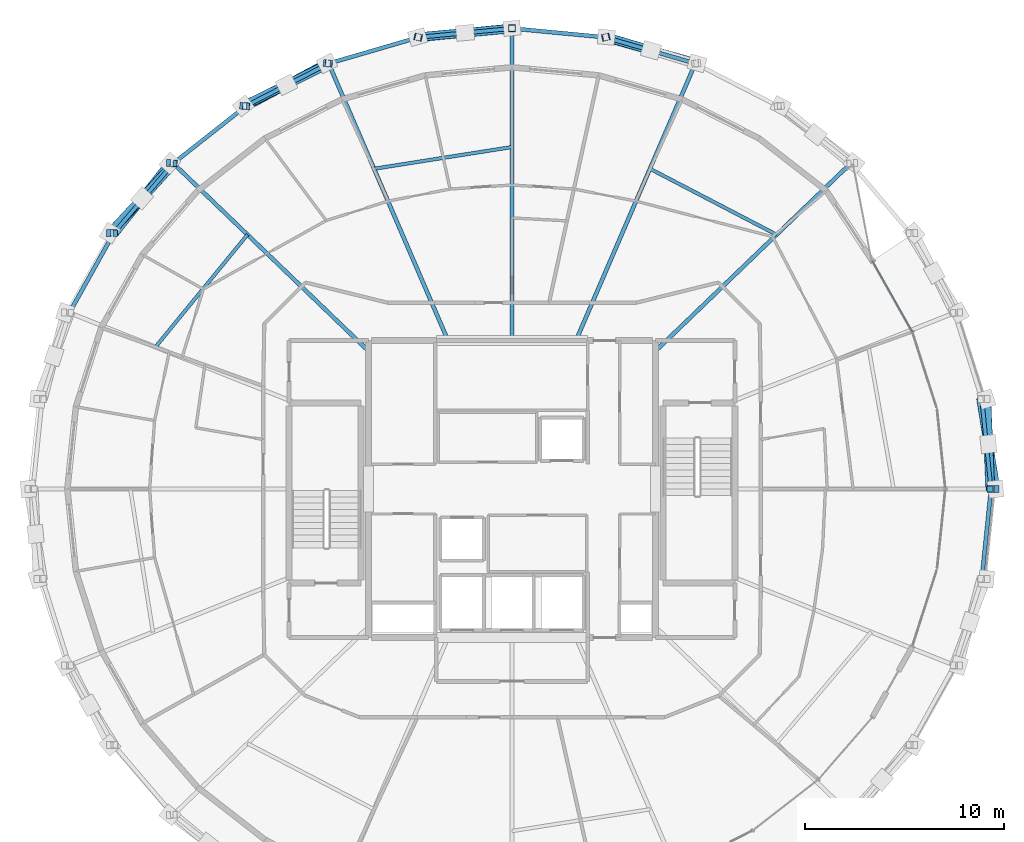
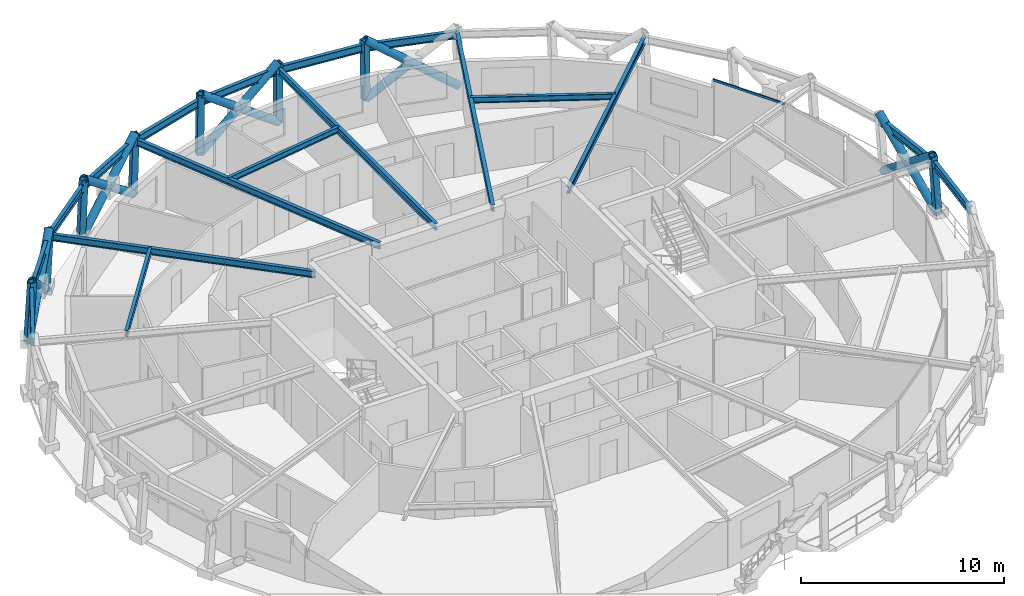
# One storey, part 9 of 18: 23 members, 18 beams, 1 element without a shape of its own.
"""IFC4 building model written with IfcOpenShell, lengths in metres."""

from ifc_helpers import new_model, si_unit, direction, frame, origin, origin_2d, place, context, subcontext, project, spatial, hollow_rectangle, hollow_circle, i_section, extrude, material, layer, layer_set, material_profile, profile_set, type_object, element, aggregate, save


model = new_model("IFC4")

# Units and contexts
model_context = context("Model", 3, precision=1e-05, world=origin(), true_north=direction((0.0, 1.0)))
body_context = subcontext(model_context, "Body", "Model", "MODEL_VIEW")
ifc_project = project(units=[si_unit("LENGTHUNIT", "METRE"), si_unit("AREAUNIT", "SQUARE_METRE"), si_unit("VOLUMEUNIT", "CUBIC_METRE"), si_unit("PLANEANGLEUNIT", "RADIAN"), si_unit("MASSUNIT", "GRAM", prefix="KILO")], contexts=[model_context])

# Site, building, storey
site_placement = place(None, origin())
site = spatial("IfcSite", under=ifc_project, at=site_placement, CompositionType="ELEMENT")
building_placement = place(site_placement, origin())
building = spatial("IfcBuilding", under=site, at=building_placement, Name="Veldorina Hangang Commons", CompositionType="ELEMENT")
storey_placement = place(building_placement, frame((0.0, 0.0, 232.800048828125)))
storey = spatial("IfcBuildingStorey", under=building, at=storey_placement, Name="L60", CompositionType="ELEMENT", Elevation=232.800048828125)

# Beams
ifc_material_1 = material(Name="Steel SM355-TMC", Category="steel")
ifc_material_profile_1 = material_profile(ifc_material_1, i_section(OverallWidth=0.199951171875, OverallDepth=0.39990234375, WebThickness=0.008056640625, FlangeThickness=0.012939453125, FilletRadius=0.012939453125, at=origin_2d()), Name="H-400x200x8x13")
ifc_profile_set_1 = profile_set([ifc_material_profile_1], Name="Steel SM355-TMC")
beam_type_1 = type_object("IfcBeamType", Name="BM-FG400", PredefinedType="BEAM", material=ifc_profile_set_1)
beam_1_placement = place(storey_placement, frame((39.199951171875, 30.92333984375, 3.159912109375), z_axis=(0.720817870164, 0.693124518433, 0.0), x_axis=(-0.693124518433, 0.720817870164, 0.0)))
element("IfcBeam", 1, at=beam_1_placement, inside=storey, type_object=beam_type_1, Name="L60 radial floor girder 03", PredefinedType="BEAM", context=body_context, shape_type="SweptSolid", body=[
    extrude(i_section(OverallWidth=0.199951171875, OverallDepth=0.39990234375, WebThickness=0.008056640625, FlangeThickness=0.012939453125, FilletRadius=0.012939453125, at=origin_2d()), origin(), (0.0, 0.0, 1.0), 13.585205078125),
])
beam_2_placement = place(storey_placement, frame((35.209228515625, 31.449951171875, 3.159912109375), z_axis=(0.395620337135, 0.91841414887, 0.0), x_axis=(-0.91841414887, 0.395620337135, 0.0)))
element("IfcBeam", 2, at=beam_2_placement, inside=storey, type_object=beam_type_1, Name="L60 radial floor girder 04", PredefinedType="BEAM", context=body_context, shape_type="SweptSolid", body=[
    extrude(i_section(OverallWidth=0.199951171875, OverallDepth=0.39990234375, WebThickness=0.008056640625, FlangeThickness=0.012939453125, FilletRadius=0.012939453125, at=origin_2d()), origin(), (0.0, 0.0, 1.0), 15.13330078125),
])
beam_3_placement = place(storey_placement, frame((32.0, 31.449951171875, 3.159912109375), z_axis=(0.0, 1.0, 0.0), x_axis=(-1.0, 0.0, 0.0)))
element("IfcBeam", 3, at=beam_3_placement, inside=storey, type_object=beam_type_1, Name="L60 radial floor girder 05", PredefinedType="BEAM", context=body_context, shape_type="SweptSolid", body=[
    extrude(i_section(OverallWidth=0.199951171875, OverallDepth=0.39990234375, WebThickness=0.008056640625, FlangeThickness=0.012939453125, FilletRadius=0.012939453125, at=origin_2d()), origin(), (0.0, 0.0, 1.0), 15.65771484375),
])
beam_4_placement = place(storey_placement, frame((28.790771484375, 31.449951171875, 3.159912109375), z_axis=(-0.395620337135, 0.91841414887, 0.0), x_axis=(-0.91841414887, -0.395620337135, 0.0)))
element("IfcBeam", 4, at=beam_4_placement, inside=storey, type_object=beam_type_1, Name="L60 radial floor girder 06", PredefinedType="BEAM", context=body_context, shape_type="SweptSolid", body=[
    extrude(i_section(OverallWidth=0.199951171875, OverallDepth=0.39990234375, WebThickness=0.008056640625, FlangeThickness=0.012939453125, FilletRadius=0.012939453125, at=origin_2d()), origin(), (0.0, 0.0, 1.0), 15.13330078125),
])
beam_5_placement = place(storey_placement, frame((24.800048828125, 30.92333984375, 3.159912109375), z_axis=(-0.720817870164, 0.693124518433, 0.0), x_axis=(-0.693124518433, -0.720817870164, 0.0)))
element("IfcBeam", 5, at=beam_5_placement, inside=storey, type_object=beam_type_1, Name="L60 radial floor girder 07", PredefinedType="BEAM", context=body_context, shape_type="SweptSolid", body=[
    extrude(i_section(OverallWidth=0.199951171875, OverallDepth=0.39990234375, WebThickness=0.008056640625, FlangeThickness=0.012939453125, FilletRadius=0.012939453125, at=origin_2d()), origin(), (0.0, 0.0, 1.0), 13.585205078125),
])
ifc_material_profile_2 = material_profile(ifc_material_1, i_section(OverallWidth=0.175048828125, OverallDepth=0.35009765625, WebThickness=0.007080078125, FlangeThickness=0.010986328125, FilletRadius=0.012939453125, at=origin_2d()), Name="H-350x175x7x11")
ifc_profile_set_2 = profile_set([ifc_material_profile_2], Name="Steel SM355-TMC")
beam_type_2 = type_object("IfcBeamType", Name="BM-JST350", PredefinedType="JOIST", material=ifc_profile_set_2)
beam_6_placement = place(storey_placement, frame((45.271240234375, 36.761474609375, 3.18505859375), z_axis=(-0.887010120616, 0.461749982051, 0.0), x_axis=(-0.461749982051, -0.887010120616, 0.0)))
element("IfcBeam", 6, at=beam_6_placement, inside=storey, type_object=beam_type_2, Name="L60 secondary floor joist 03", PredefinedType="JOIST", context=body_context, shape_type="SweptSolid", body=[
    extrude(i_section(OverallWidth=0.175048828125, OverallDepth=0.35009765625, WebThickness=0.007080078125, FlangeThickness=0.010986328125, FilletRadius=0.012939453125, at=origin_2d()), origin(), (0.0, 0.0, 1.0), 7.158935546875),
])
beam_7_placement = place(storey_placement, frame((32.0, 41.15771484375, 3.18505859375), z_axis=(-0.987812075525, -0.155651223725, 0.0), x_axis=(0.155651223725, -0.987812075525, 0.0)))
element("IfcBeam", 7, at=beam_7_placement, inside=storey, type_object=beam_type_2, Name="L60 secondary floor joist 05", PredefinedType="JOIST", context=body_context, shape_type="SweptSolid", body=[
    extrude(i_section(OverallWidth=0.175048828125, OverallDepth=0.35009765625, WebThickness=0.007080078125, FlangeThickness=0.010986328125, FilletRadius=0.012939453125, at=origin_2d()), origin(), (0.0, 0.0, 1.0), 7.006591796875),
])
beam_8_placement = place(storey_placement, frame((18.728759765625, 36.761474609375, 3.18505859375), z_axis=(-0.633502347784, -0.773740767539, 0.0), x_axis=(0.773740767539, -0.633502347784, 0.0)))
element("IfcBeam", 8, at=beam_8_placement, inside=storey, type_object=beam_type_2, Name="L60 secondary floor joist 07", PredefinedType="JOIST", context=body_context, shape_type="SweptSolid", body=[
    extrude(i_section(OverallWidth=0.175048828125, OverallDepth=0.35009765625, WebThickness=0.007080078125, FlangeThickness=0.010986328125, FilletRadius=0.012939453125, at=origin_2d()), origin(), (0.0, 0.0, 1.0), 7.28564453125),
])
ifc_material_profile_3 = material_profile(ifc_material_1, i_section(OverallWidth=0.199951171875, OverallDepth=0.449951171875, WebThickness=0.009033203125, FlangeThickness=0.013916015625, FilletRadius=0.01611328125, at=origin_2d()), Name="H-450x200x9x14")
ifc_profile_set_3 = profile_set([ifc_material_profile_3], Name="Steel SM355-TMC")
beam_type_3 = type_object("IfcBeamType", Name="BM-RB450", PredefinedType="BEAM", material=ifc_profile_set_3)
beam_9_placement = place(storey_placement, frame((56.031005859375, 24.0, 3.135009765625), z_axis=(-0.101877124735, 0.994796990072, 0.0), x_axis=(-0.994796990072, -0.101877124735, 0.0)))
element("IfcBeam", 9, at=beam_9_placement, inside=storey, type_object=beam_type_3, Name="L60 perimeter hoop ring beam 00", PredefinedType="BEAM", context=body_context, shape_type="SweptSolid", body=[
    extrude(i_section(OverallWidth=0.199951171875, OverallDepth=0.449951171875, WebThickness=0.009033203125, FlangeThickness=0.013916015625, FilletRadius=0.01611328125, at=origin_2d()), origin(), (0.0, 0.0, 1.0), 4.53173828125),
])
beam_10_placement = place(storey_placement, frame((41.1962890625, 45.3486328125, 3.135009765625), z_axis=(-0.959994759243, 0.280017967684, 0.0), x_axis=(-0.280017967684, -0.959994759243, 0.0)))
element("IfcBeam", 10, at=beam_10_placement, inside=storey, type_object=beam_type_3, Name="L60 perimeter hoop ring beam 06", PredefinedType="BEAM", context=body_context, shape_type="SweptSolid", body=[
    extrude(i_section(OverallWidth=0.199951171875, OverallDepth=0.449951171875, WebThickness=0.009033203125, FlangeThickness=0.013916015625, FilletRadius=0.01611328125, at=origin_2d()), origin(), (0.0, 0.0, 1.0), 4.69580078125),
])
for number, where, z_axis, x_axis, name in (
    (11, (36.688232421875, 46.66357421875, 3.135009765625), (-0.995543575361, 0.094302648731, 0.0), (-0.094302648731, -0.995543575361, 0.0), "L60 perimeter hoop ring beam 07"),
    (12, (32.0, 47.107666015625, 3.135009765625), (-0.995543575361, -0.094302648731, 0.0), (0.094302648731, -0.995543575361, 0.0), "L60 perimeter hoop ring beam 08"),
):
    element("IfcBeam", number, at=place(storey_placement, frame(where, z_axis=z_axis, x_axis=x_axis)), inside=storey, type_object=beam_type_3, Name=name, PredefinedType="BEAM", context=body_context, shape_type="SweptSolid", body=[
        extrude(i_section(OverallWidth=0.199951171875, OverallDepth=0.449951171875, WebThickness=0.009033203125, FlangeThickness=0.013916015625, FilletRadius=0.01611328125, at=origin_2d()), origin(), (0.0, 0.0, 1.0), 4.709228515625),
    ])
beam_11_placement = place(storey_placement, frame((27.311767578125, 46.66357421875, 3.135009765625), z_axis=(-0.959994759243, -0.280017967684, 0.0), x_axis=(0.280017967684, -0.959994759243, 0.0)))
element("IfcBeam", 13, at=beam_11_placement, inside=storey, type_object=beam_type_3, Name="L60 perimeter hoop ring beam 09", PredefinedType="BEAM", context=body_context, shape_type="SweptSolid", body=[
    extrude(i_section(OverallWidth=0.199951171875, OverallDepth=0.449951171875, WebThickness=0.009033203125, FlangeThickness=0.013916015625, FilletRadius=0.01611328125, at=origin_2d()), origin(), (0.0, 0.0, 1.0), 4.69580078125),
])
beam_12_placement = place(storey_placement, frame((22.8037109375, 45.3486328125, 3.135009765625), z_axis=(-0.889406812659, -0.457116529559, 0.0), x_axis=(0.457116529559, -0.889406812659, 0.0)))
element("IfcBeam", 14, at=beam_12_placement, inside=storey, type_object=beam_type_3, Name="L60 perimeter hoop ring beam 10", PredefinedType="BEAM", context=body_context, shape_type="SweptSolid", body=[
    extrude(i_section(OverallWidth=0.199951171875, OverallDepth=0.449951171875, WebThickness=0.009033203125, FlangeThickness=0.013916015625, FilletRadius=0.01611328125, at=origin_2d()), origin(), (0.0, 0.0, 1.0), 4.671142578125),
])
beam_13_placement = place(storey_placement, frame((18.649169921875, 43.21337890625, 3.135009765625), z_axis=(-0.785005340237, -0.619488995705, 0.0), x_axis=(0.619488995705, -0.785005340237, 0.0)))
element("IfcBeam", 15, at=beam_13_placement, inside=storey, type_object=beam_type_3, Name="L60 perimeter hoop ring beam 11", PredefinedType="BEAM", context=body_context, shape_type="SweptSolid", body=[
    extrude(i_section(OverallWidth=0.199951171875, OverallDepth=0.449951171875, WebThickness=0.009033203125, FlangeThickness=0.013916015625, FilletRadius=0.01611328125, at=origin_2d()), origin(), (0.0, 0.0, 1.0), 4.638916015625),
])
beam_14_placement = place(storey_placement, frame((15.007568359375, 40.339599609375, 3.135009765625), z_axis=(-0.649200277613, -0.760617511991, 0.0), x_axis=(0.760617511991, -0.649200277613, 0.0)))
element("IfcBeam", 16, at=beam_14_placement, inside=storey, type_object=beam_type_3, Name="L60 perimeter hoop ring beam 12", PredefinedType="BEAM", context=body_context, shape_type="SweptSolid", body=[
    extrude(i_section(OverallWidth=0.199951171875, OverallDepth=0.449951171875, WebThickness=0.009033203125, FlangeThickness=0.013916015625, FilletRadius=0.01611328125, at=origin_2d()), origin(), (0.0, 0.0, 1.0), 4.603759765625),
])
beam_15_placement = place(storey_placement, frame((12.018798828125, 36.837890625, 3.135009765625), z_axis=(-0.485865143096, -0.874033788091, 0.0), x_axis=(0.874033788091, -0.485865143096, 0.0)))
element("IfcBeam", 17, at=beam_15_placement, inside=storey, type_object=beam_type_3, Name="L60 perimeter hoop ring beam 13", PredefinedType="BEAM", context=body_context, shape_type="SweptSolid", body=[
    extrude(i_section(OverallWidth=0.199951171875, OverallDepth=0.449951171875, WebThickness=0.009033203125, FlangeThickness=0.013916015625, FilletRadius=0.01611328125, at=origin_2d()), origin(), (0.0, 0.0, 1.0), 4.570556640625),
])
beam_16_placement = place(storey_placement, frame((55.5693359375, 19.491943359375, 3.135009765625), z_axis=(0.101877124735, 0.994796990072, 0.0), x_axis=(-0.994796990072, 0.101877124735, 0.0)))
element("IfcBeam", 18, at=beam_16_placement, inside=storey, type_object=beam_type_3, Name="L60 perimeter hoop ring beam 31", PredefinedType="BEAM", context=body_context, shape_type="SweptSolid", body=[
    extrude(i_section(OverallWidth=0.199951171875, OverallDepth=0.449951171875, WebThickness=0.009033203125, FlangeThickness=0.013916015625, FilletRadius=0.01611328125, at=origin_2d()), origin(), (0.0, 0.0, 1.0), 4.53173828125),
])

# Curtain wall, member
ifc_material_2 = material(Name="Glass Low-E Selective", Category="glass")
ifc_layer = layer(ifc_material_2, 0.179931640625)
ifc_layer_set = layer_set([ifc_layer], Name="Glass Low-E Selective")
curtain_wall_type = type_object("IfcCurtainWallType", Name="CW-SYS-Z3", PredefinedType="NOTDEFINED", material=ifc_layer_set)
curtain_wall_placement = place(storey_placement, origin())
curtain_wall = element("IfcCurtainWall", 19, at=curtain_wall_placement, inside=storey, type_object=curtain_wall_type, Name="L60 unitised curtain wall CW-L60-R2", PredefinedType="NOTDEFINED")
ifc_material_3 = material(Name="Aluminium Anodized AA6063-T6", Category="aluminium")
ifc_material_profile_4 = material_profile(ifc_material_3, hollow_rectangle(XDim=0.06005859375, YDim=0.139892578125, WallThickness=0.00341796875, at=origin_2d()), Name="ALU-RHS-140x60x3.5")
ifc_profile_set_4 = profile_set([ifc_material_profile_4], Name="Aluminium Anodized AA6063-T6")
member_type_1 = type_object("IfcMemberType", Name="CW-TRN-140", PredefinedType="USERDEFINED", material=ifc_profile_set_4)
member_1_placement = place(storey_placement, frame((52.090576171875, 31.882568359375, 3.280029296875), z_axis=(-0.491457065187, 0.870901804498, 0.0), x_axis=(-0.870901804498, -0.491457065187, 0.0)))
member_1 = element("IfcMember", 20, at=member_1_placement, type_object=member_type_1, Name="CW-L60-R2 facet 5 transom 1", ObjectType="TRANSOM", PredefinedType="USERDEFINED", context=body_context, shape_type="SweptSolid", body=[
    extrude(hollow_rectangle(XDim=0.06005859375, YDim=0.139892578125, WallThickness=0.00341796875, at=origin_2d()), origin(), (0.0, 0.0, 1.0), 4.0888671875),
])
aggregate(curtain_wall, [member_1])

# Members
ifc_material_profile_5 = material_profile(ifc_material_1, hollow_circle(Radius=0.22509765625, WallThickness=0.02197265625, at=origin_2d()), Name="CHS-450x22")
ifc_profile_set_5 = profile_set([ifc_material_profile_5], Name="Steel SM355-TMC")
member_type_2 = type_object("IfcMemberType", Name="DG-CHS450", PredefinedType="BRACE", material=ifc_profile_set_5)
member_2_placement = place(storey_placement, frame((56.265869140625, 24.0, 0.0), z_axis=(-0.125661791119, 0.775215272712, 0.619072205164), x_axis=(-0.987115293042, -0.160010619155, 0.0)))
element("IfcMember", 21, at=member_2_placement, inside=storey, type_object=member_type_2, Name="L60 continuous perimeter diagrid brace 00", PredefinedType="BRACE", context=body_context, shape_type="SweptSolid", body=[
    extrude(hollow_circle(Radius=0.22509765625, WallThickness=0.02197265625, at=origin_2d()), origin(), (0.0, 0.0, 1.0), 5.81494140625),
])
member_3_placement = place(storey_placement, frame((55.799560546875, 28.510009765625, 0.0), z_axis=(0.034917114059, -0.781027359987, 0.623519893906), x_axis=(0.999002153417, 0.044662036086, 0.0)))
element("IfcMember", 22, at=member_3_placement, inside=storey, type_object=member_type_2, Name="L60 split perimeter diagrid lower brace 01", PredefinedType="BRACE", context=body_context, shape_type="SweptSolid", body=[
    extrude(hollow_circle(Radius=0.22509765625, WallThickness=0.02197265625, at=origin_2d()), origin(), (0.0, 0.0, 1.0), 2.8876953125),
])
member_4_placement = place(storey_placement, frame((55.900390625, 26.254638671875, 1.800537109375), z_axis=(0.03324347595, -0.781179390336, 0.623420910317), x_axis=(0.999095742908, 0.042517014289, 0.0)))
element("IfcMember", 23, at=member_4_placement, inside=storey, type_object=member_type_2, Name="L60 split perimeter diagrid upper brace 01", PredefinedType="BRACE", context=body_context, shape_type="SweptSolid", body=[
    extrude(hollow_circle(Radius=0.22509765625, WallThickness=0.02197265625, at=origin_2d()), origin(), (0.0, 0.0, 1.0), 2.88623046875),
])
member_5_placement = place(storey_placement, frame((41.2861328125, 45.3583984375, 0.0), z_axis=(-0.76892906559, 0.217702200851, 0.601127144484), x_axis=(-0.272416035454, -0.962179558932, 0.0)))
element("IfcMember", 24, at=member_5_placement, inside=storey, type_object=member_type_2, Name="L60 continuous perimeter diagrid brace 06", PredefinedType="BRACE", context=body_context, shape_type="SweptSolid", body=[
    extrude(hollow_circle(Radius=0.22509765625, WallThickness=0.02197265625, at=origin_2d()), origin(), (0.0, 0.0, 1.0), 5.988525390625),
])
member_6_placement = place(storey_placement, frame((36.73388671875, 46.674072265625, 0.0), z_axis=(0.757955846818, -0.223657746879, 0.61276434829), x_axis=(0.283015890758, 0.959115220179, 0.0)))
element("IfcMember", 25, at=member_6_placement, inside=storey, type_object=member_type_2, Name="L60 split perimeter diagrid lower brace 07", PredefinedType="BRACE", context=body_context, shape_type="SweptSolid", body=[
    extrude(hollow_circle(Radius=0.22509765625, WallThickness=0.02197265625, at=origin_2d()), origin(), (0.0, 0.0, 1.0), 2.95263671875),
])
member_7_placement = place(storey_placement, frame((32.0, 47.1181640625, 0.0), z_axis=(-0.790370551274, -0.076996724369, 0.607771253117), x_axis=(0.096959509492, -0.995288326827, 0.0)))
element("IfcMember", 26, at=member_7_placement, inside=storey, type_object=member_type_2, Name="L60 continuous perimeter diagrid brace 08", PredefinedType="BRACE", context=body_context, shape_type="SweptSolid", body=[
    extrude(hollow_circle(Radius=0.22509765625, WallThickness=0.02197265625, at=origin_2d()), origin(), (0.0, 0.0, 1.0), 5.923095703125),
])
member_8_placement = place(storey_placement, frame((27.26611328125, 46.674072265625, 0.0), z_axis=(0.793928317709, 0.071664470159, 0.603773161093), x_axis=(-0.089900162929, 0.995950782271, 0.0)))
element("IfcMember", 27, at=member_8_placement, inside=storey, type_object=member_type_2, Name="L60 split perimeter diagrid lower brace 09", PredefinedType="BRACE", context=body_context, shape_type="SweptSolid", body=[
    extrude(hollow_circle(Radius=0.22509765625, WallThickness=0.02197265625, at=origin_2d()), origin(), (0.0, 0.0, 1.0), 2.997802734375),
])
member_9_placement = place(storey_placement, frame((29.646240234375, 46.888916015625, 1.81005859375), z_axis=(0.793868977209, 0.073285280543, 0.603656619844), x_axis=(-0.091923226486, 0.99576609725, 0.0)))
element("IfcMember", 28, at=member_9_placement, inside=storey, type_object=member_type_2, Name="L60 split perimeter diagrid upper brace 09", PredefinedType="BRACE", context=body_context, shape_type="SweptSolid", body=[
    extrude(hollow_circle(Radius=0.22509765625, WallThickness=0.02197265625, at=origin_2d()), origin(), (0.0, 0.0, 1.0), 2.96484375),
])
member_10_placement = place(storey_placement, frame((22.7138671875, 45.3583984375, 0.0), z_axis=(-0.694480178066, -0.368489422182, 0.61799096111), x_axis=(0.468705619493, -0.883354426182, 0.0)))
element("IfcMember", 29, at=member_10_placement, inside=storey, type_object=member_type_2, Name="L60 continuous perimeter diagrid brace 10", PredefinedType="BRACE", context=body_context, shape_type="SweptSolid", body=[
    extrude(hollow_circle(Radius=0.22509765625, WallThickness=0.02197265625, at=origin_2d()), origin(), (0.0, 0.0, 1.0), 5.8251953125),
])
member_11_placement = place(storey_placement, frame((18.5185546875, 43.22216796875, 0.0), z_axis=(0.718387081062, 0.351411419138, 0.600358239939), x_axis=(-0.439411919252, 0.898285681295, 0.0)))
element("IfcMember", 30, at=member_11_placement, inside=storey, type_object=member_type_2, Name="L60 split perimeter diagrid lower brace 11", PredefinedType="BRACE", context=body_context, shape_type="SweptSolid", body=[
    extrude(hollow_circle(Radius=0.22509765625, WallThickness=0.02197265625, at=origin_2d()), origin(), (0.0, 0.0, 1.0), 3.01171875),
])
member_12_placement = place(storey_placement, frame((20.68212890625, 44.280517578125, 1.80810546875), z_axis=(0.715340033208, 0.357506398115, 0.600398044798), x_axis=(-0.447049908411, 0.894509015823, 0.0)))
element("IfcMember", 31, at=member_12_placement, inside=storey, type_object=member_type_2, Name="L60 split perimeter diagrid upper brace 11", PredefinedType="BRACE", context=body_context, shape_type="SweptSolid", body=[
    extrude(hollow_circle(Radius=0.22509765625, WallThickness=0.02197265625, at=origin_2d()), origin(), (0.0, 0.0, 1.0), 2.984375),
])
member_13_placement = place(storey_placement, frame((14.84130859375, 40.346923828125, 0.0), z_axis=(-0.485684203701, -0.61022514529, 0.625888269846), x_axis=(0.782427466791, -0.622741727533, 0.0)))
element("IfcMember", 32, at=member_13_placement, inside=storey, type_object=member_type_2, Name="L60 continuous perimeter diagrid brace 12", PredefinedType="BRACE", context=body_context, shape_type="SweptSolid", body=[
    extrude(hollow_circle(Radius=0.22509765625, WallThickness=0.02197265625, at=origin_2d()), origin(), (0.0, 0.0, 1.0), 5.751708984375),
])
member_14_placement = place(storey_placement, frame((11.823486328125, 36.84375, 0.0), z_axis=(0.54181817334, 0.584094055564, 0.604373395587), x_axis=(-0.733140676978, 0.680077016051, 0.0)))
element("IfcMember", 33, at=member_14_placement, inside=storey, type_object=member_type_2, Name="L60 split perimeter diagrid lower brace 13", PredefinedType="BRACE", context=body_context, shape_type="SweptSolid", body=[
    extrude(hollow_circle(Radius=0.22509765625, WallThickness=0.02197265625, at=origin_2d()), origin(), (0.0, 0.0, 1.0), 2.985595703125),
])
member_15_placement = place(storey_placement, frame((13.441162109375, 38.587646484375, 1.804443359375), z_axis=(0.535679203188, 0.589526636903, 0.604571034415), x_axis=(-0.740098833091, 0.672498116918, 0.0)))
element("IfcMember", 34, at=member_15_placement, inside=storey, type_object=member_type_2, Name="L60 split perimeter diagrid upper brace 13", PredefinedType="BRACE", context=body_context, shape_type="SweptSolid", body=[
    extrude(hollow_circle(Radius=0.22509765625, WallThickness=0.02197265625, at=origin_2d()), origin(), (0.0, 0.0, 1.0), 2.9697265625),
])
ifc_material_profile_6 = material_profile(ifc_material_1, hollow_rectangle(XDim=0.35009765625, YDim=0.35009765625, WallThickness=0.01611328125, at=origin_2d()), Name="SHS-350x350x16")
ifc_profile_set_6 = profile_set([ifc_material_profile_6], Name="Steel SM355-TMC")
member_type_3 = type_object("IfcMemberType", Name="STR-SHS350", PredefinedType="STRUT", material=ifc_profile_set_6)
member_16_placement = place(storey_placement, frame((56.265869140625, 24.0, 0.0), z_axis=(-0.074663850132, 0.0, 0.997208759229), x_axis=(0.0, -1.0, 0.0)))
element("IfcMember", 35, at=member_16_placement, inside=storey, type_object=member_type_3, Name="L60 perimeter ring node post 00", PredefinedType="STRUT", context=body_context, shape_type="SweptSolid", body=[
    extrude(hollow_rectangle(XDim=0.35009765625, YDim=0.35009765625, WallThickness=0.01611328125, at=origin_2d()), origin(), (0.0, 0.0, 1.0), 3.60986328125),
])
member_17_placement = place(storey_placement, frame((36.73388671875, 46.674072265625, 0.0), z_axis=(-0.014579583662, -0.003322788835, 0.999888191157), x_axis=(0.222209083001, -0.974999037657, 0.0)))
element("IfcMember", 36, at=member_17_placement, inside=storey, type_object=member_type_3, Name="L60 perimeter ring node post 07", PredefinedType="STRUT", context=body_context, shape_type="SweptSolid", body=[
    extrude(hollow_rectangle(XDim=0.35009765625, YDim=0.35009765625, WallThickness=0.01611328125, at=origin_2d()), origin(), (0.0, 0.0, 1.0), 3.600341796875),
])
member_18_placement = place(storey_placement, frame((32.0, 47.1181640625, 0.0), z_axis=(0.0, -0.003323142044, 0.999994478348), x_axis=(1.0, 0.0, 0.0)))
element("IfcMember", 37, at=member_18_placement, inside=storey, type_object=member_type_3, Name="L60 perimeter ring node post 08", PredefinedType="STRUT", context=body_context, shape_type="SweptSolid", body=[
    extrude(hollow_rectangle(XDim=0.35009765625, YDim=0.35009765625, WallThickness=0.01611328125, at=origin_2d()), origin(), (0.0, 0.0, 1.0), 3.599853515625),
])
member_19_placement = place(storey_placement, frame((27.26611328125, 46.674072265625, 0.0), z_axis=(0.014579583662, -0.003322788835, 0.999888191157), x_axis=(0.222209083001, 0.974999037657, 0.0)))
element("IfcMember", 38, at=member_19_placement, inside=storey, type_object=member_type_3, Name="L60 perimeter ring node post 09", PredefinedType="STRUT", context=body_context, shape_type="SweptSolid", body=[
    extrude(hollow_rectangle(XDim=0.35009765625, YDim=0.35009765625, WallThickness=0.01611328125, at=origin_2d()), origin(), (0.0, 0.0, 1.0), 3.600341796875),
])
member_20_placement = place(storey_placement, frame((22.7138671875, 45.3583984375, 0.0), z_axis=(0.028608023995, -0.003050618672, 0.999586051668), x_axis=(0.106033917323, 0.994362513562, 0.0)))
element("IfcMember", 39, at=member_20_placement, inside=storey, type_object=member_type_3, Name="L60 perimeter ring node post 10", PredefinedType="STRUT", context=body_context, shape_type="SweptSolid", body=[
    extrude(hollow_rectangle(XDim=0.35009765625, YDim=0.35009765625, WallThickness=0.01611328125, at=origin_2d()), origin(), (0.0, 0.0, 1.0), 3.601318359375),
])
member_21_placement = place(storey_placement, frame((18.5185546875, 43.22216796875, 0.0), z_axis=(0.04160500992, -0.002845945304, 0.999130083495), x_axis=(0.06824443404, 0.99766863097, 0.0)))
element("IfcMember", 40, at=member_21_placement, inside=storey, type_object=member_type_3, Name="L60 perimeter ring node post 11", PredefinedType="STRUT", context=body_context, shape_type="SweptSolid", body=[
    extrude(hollow_rectangle(XDim=0.35009765625, YDim=0.35009765625, WallThickness=0.01611328125, at=origin_2d()), origin(), (0.0, 0.0, 1.0), 3.60302734375),
])
member_22_placement = place(storey_placement, frame((14.84130859375, 40.346923828125, 0.0), z_axis=(0.052892814881, -0.002370356621, 0.998597382103), x_axis=(0.044769407375, 0.998997347426, 0.0)))
element("IfcMember", 41, at=member_22_placement, inside=storey, type_object=member_type_3, Name="L60 perimeter ring node post 12", PredefinedType="STRUT", context=body_context, shape_type="SweptSolid", body=[
    extrude(hollow_rectangle(XDim=0.35009765625, YDim=0.35009765625, WallThickness=0.01611328125, at=origin_2d()), origin(), (0.0, 0.0, 1.0), 3.60498046875),
])
member_23_placement = place(storey_placement, frame((11.823486328125, 36.84375, 0.0), z_axis=(0.062205405082, -0.00182757991, 0.998061695252), x_axis=(0.029367088943, 0.999568694031, 0.0)))
element("IfcMember", 42, at=member_23_placement, inside=storey, type_object=member_type_3, Name="L60 perimeter ring node post 13", PredefinedType="STRUT", context=body_context, shape_type="SweptSolid", body=[
    extrude(hollow_rectangle(XDim=0.35009765625, YDim=0.35009765625, WallThickness=0.01611328125, at=origin_2d()), origin(), (0.0, 0.0, 1.0), 3.60693359375),
])

save(model, "model.ifc")
